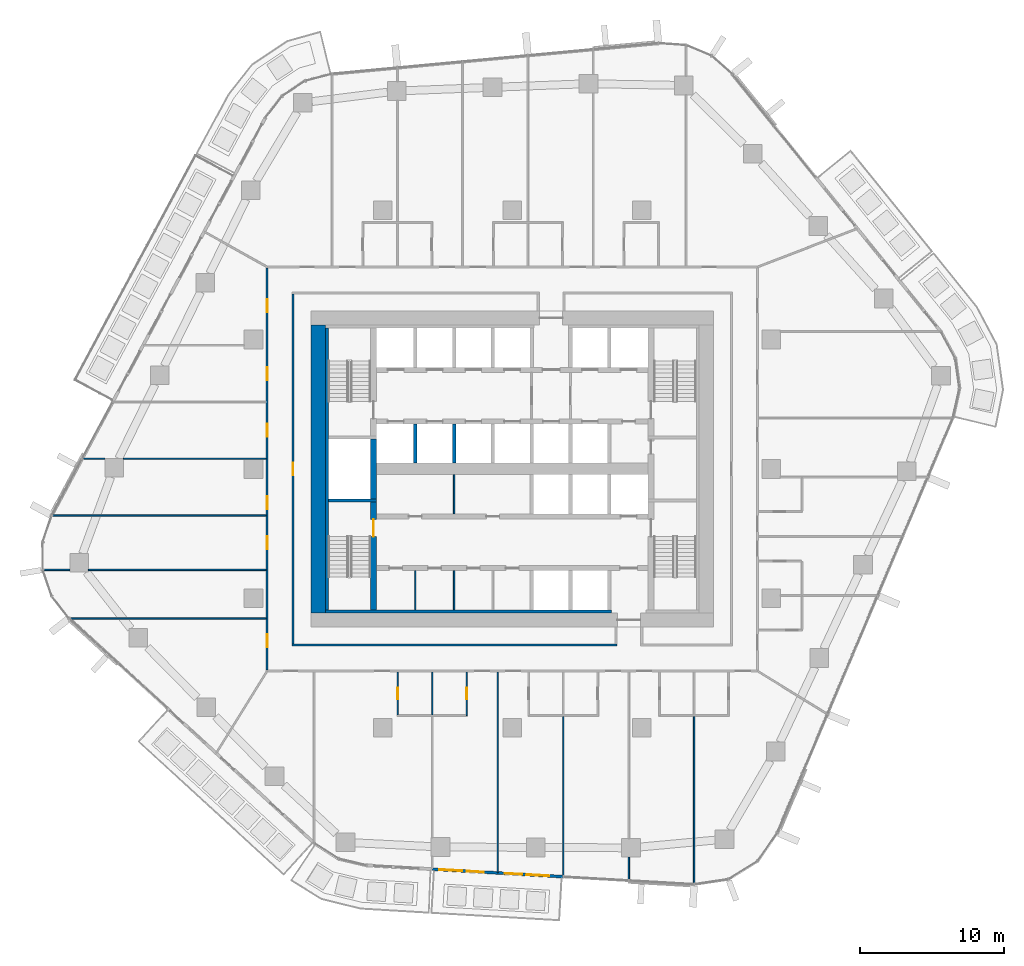
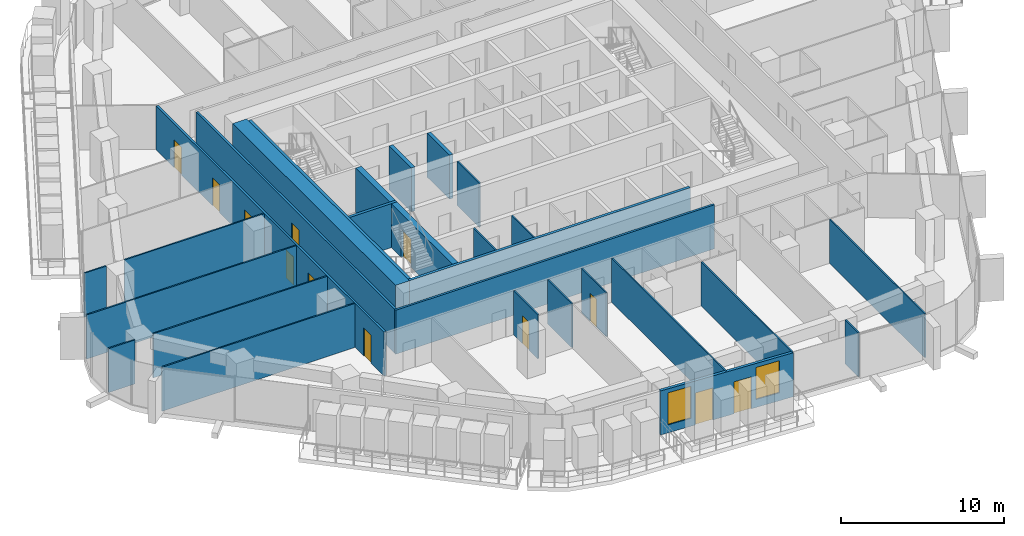
# One storey, part 12 of 24: 28 walls, 12 doors, 2 windows, 14 openings.
"""IFC4 building model written with IfcOpenShell, lengths in metres."""

from ifc_helpers import new_model, si_unit, direction, frame, frame_2d, origin, place, context, subcontext, project, spatial, rectangle, extrude, material, layer, layer_set, type_object, element, fill, save


model = new_model("IFC4")

# Units and contexts
model_context = context("Model", 3, precision=1e-05, world=origin(), true_north=direction((0.0, 1.0)))
body_context = subcontext(model_context, "Body", "Model", "MODEL_VIEW")
ifc_project = project(units=[si_unit("LENGTHUNIT", "METRE"), si_unit("AREAUNIT", "SQUARE_METRE"), si_unit("VOLUMEUNIT", "CUBIC_METRE"), si_unit("PLANEANGLEUNIT", "RADIAN"), si_unit("MASSUNIT", "GRAM", prefix="KILO")], contexts=[model_context])

# Site, building, storey
site_placement = place(None, origin())
site = spatial("IfcSite", under=ifc_project, at=site_placement, CompositionType="ELEMENT")
building_placement = place(site_placement, origin())
building = spatial("IfcBuilding", under=site, at=building_placement, Name="Dongbaek Canopy Tower", CompositionType="ELEMENT")
storey_placement = place(building_placement, frame((0.0, 0.0, 124.800048828125)))
storey = spatial("IfcBuildingStorey", under=building, at=storey_placement, Name="L27", CompositionType="ELEMENT", Elevation=124.800048828125)

# Walls
ifc_material_1 = material(Name="Concrete C60/75", Category="concrete")
ifc_layer_1 = layer(ifc_material_1, 1.0)
ifc_layer_set_1 = layer_set([ifc_layer_1], Name="Core outer wall 1000 Concrete C60/75")
wall_type_1 = type_object("IfcWallType", Name="Core outer wall 1000 Concrete C60/75", PredefinedType="SHEAR", material=ifc_layer_set_1)
wall_1_placement = place(storey_placement, frame((-13.5, -10.0, 0.0), z_axis=(0.0, 0.0, 1.0), x_axis=(0.0, 1.0, 0.0)))
element("IfcWall", 1, at=wall_1_placement, inside=storey, type_object=wall_type_1, Name="Core wall", PredefinedType="SHEAR", context=body_context, shape_type="SweptSolid", body=[
    extrude(rectangle(XDim=20.0, YDim=1.0, at=frame_2d((10.0, 0.0))), origin(), (0.0, 0.0, 1.0), 3.300048828125),
])
ifc_material_2 = material(Name="Concrete C60/75", Category="concrete")
ifc_layer_2 = layer(ifc_material_2, 0.199951171875)
ifc_layer_set_2 = layer_set([ifc_layer_2], Name="Core wall lining 200 Concrete C60/75")
wall_type_2 = type_object("IfcWallType", Name="Core wall lining 200 Concrete C60/75", PredefinedType="SHEAR", material=ifc_layer_set_2)
wall_2_placement = place(storey_placement, frame((6.89990234375, -9.89990234375, 0.0), z_axis=(0.0, 0.0, 1.0), x_axis=(-1.0, 0.0, 0.0)))
element("IfcWall", 2, at=wall_2_placement, inside=storey, type_object=wall_type_2, Name="Core wall lining", PredefinedType="SHEAR", context=body_context, shape_type="SweptSolid", body=[
    extrude(rectangle(XDim=19.89990234375, YDim=0.199951171875, at=frame_2d((9.949951171875, 0.0))), origin(), (0.0, 0.0, 1.0), 3.300048828125),
])
wall_3_placement = place(storey_placement, frame((-12.89990234375, -9.800048828125, 0.0), z_axis=(0.0, 0.0, 1.0), x_axis=(0.0, 1.0, 0.0)))
element("IfcWall", 3, at=wall_3_placement, inside=storey, type_object=wall_type_2, Name="Core wall lining", PredefinedType="SHEAR", context=body_context, shape_type="SweptSolid", body=[
    extrude(rectangle(XDim=19.60009765625, YDim=0.199951171875, at=frame_2d((9.800048828125, 0.0))), origin(), (0.0, 0.0, 1.0), 3.300048828125),
])
ifc_material_3 = material(Name="Gypsum board partition, steel stud, 2 x 15 mm fire board", Category="steel")
ifc_layer_3 = layer(ifc_material_3, 0.14990234375)
ifc_layer_set_3 = layer_set([ifc_layer_3], Name="Fire-rated partition 150 gypsum board")
wall_type_3 = type_object("IfcWallType", Name="Fire-rated partition 150 gypsum board", PredefinedType="PARTITIONING", material=ifc_layer_set_3)
wall_4_placement = place(storey_placement, frame((-15.324951171875, -12.25, 0.0), z_axis=(0.0, 0.0, 1.0), x_axis=(1.0, 0.0, 0.0)))
element("IfcWall", 4, at=wall_4_placement, inside=storey, type_object=wall_type_3, Name="Corridor partition", PredefinedType="PARTITIONING", context=body_context, shape_type="SweptSolid", body=[
    extrude(rectangle(XDim=22.599853515625, YDim=0.14990234375, at=frame_2d((11.2998046875, 0.0))), origin(), (0.0, 0.0, 1.0), 3.300048828125),
])

# Wall, opening, door
wall_5_placement = place(storey_placement, frame((-15.25, 12.175048828125, 0.0), z_axis=(0.0, 0.0, 1.0), x_axis=(0.0, -1.0, 0.0)))
wall_5 = element("IfcWall", 5, at=wall_5_placement, inside=storey, type_object=wall_type_3, Name="Corridor partition", PredefinedType="PARTITIONING", context=body_context, shape_type="SweptSolid", body=[
    extrude(rectangle(XDim=24.35009765625, YDim=0.14990234375, at=frame_2d((12.175048828125, 0.0))), origin(), (0.0, 0.0, 1.0), 3.300048828125),
])
opening_1_placement = place(wall_5_placement, frame((11.72509765625, 0.0, 0.0)))
opening_1 = element("IfcOpeningElement", 6, at=opening_1_placement, cuts=wall_5, Name="Opening L27-D041", PredefinedType="OPENING", context=body_context, shape_type="SweptSolid", body=[
    extrude(rectangle(XDim=0.89990234375, YDim=2.10009765625, at=frame_2d((0.449951171875, 1.050048828125))), frame((0.0, 0.0849609375, 0.0), z_axis=(0.0, -1.0, 0.0), x_axis=(1.0, 0.0, 0.0)), (0.0, 0.0, 1.0), 0.169921875),
])
ifc_material_4 = material(Name="Timber veneered door leaf", Category="wood")
door_type_1 = type_object("IfcDoorType", Name="Room door 900 x 2100", OperationType="SINGLE_SWING_LEFT", PredefinedType="DOOR", material=ifc_material_4)
door_1_placement = place(opening_1_placement, origin())
door_1 = element("IfcDoor", 7, at=door_1_placement, inside=storey, type_object=door_type_1, Name="Door L27-D041", OperationType="SINGLE_SWING_LEFT", OverallHeight=2.10009765625, OverallWidth=0.89990234375, PredefinedType="DOOR", context=body_context, shape_type="SweptSolid", body=[
    extrude(rectangle(XDim=0.89990234375, YDim=2.10009765625, at=frame_2d((0.449951171875, 1.050048828125))), frame((0.0, 0.02490234375, 0.0), z_axis=(0.0, -1.0, 0.0), x_axis=(1.0, 0.0, 0.0)), (0.0, 0.0, 1.0), 0.050048828125),
])
fill(opening_1, door_1)

# Wall, openings, doors
wall_6_placement = place(storey_placement, frame((-17.050048828125, -13.97509765625, 0.0), z_axis=(0.0, 0.0, 1.0), x_axis=(0.0, 1.0, 0.0)))
wall_6 = element("IfcWall", 8, at=wall_6_placement, inside=storey, type_object=wall_type_3, Name="Corridor partition", PredefinedType="PARTITIONING", context=body_context, shape_type="SweptSolid", body=[
    extrude(rectangle(XDim=27.9501953125, YDim=0.14990234375, at=frame_2d((13.97509765625, 0.0))), origin(), (0.0, 0.0, 1.0), 3.300048828125),
])
opening_2_placement = place(wall_6_placement, frame((11.186279296875, 0.0, 0.0)))
opening_2 = element("IfcOpeningElement", 9, at=opening_2_placement, cuts=wall_6, Name="Opening L27-D001", PredefinedType="OPENING", context=body_context, shape_type="SweptSolid", body=[
    extrude(rectangle(XDim=0.89990234375, YDim=2.10009765625, at=frame_2d((0.449951171875, 1.050048828125))), frame((0.0, 0.0849609375, 0.0), z_axis=(0.0, -1.0, 0.0), x_axis=(1.0, 0.0, 0.0)), (0.0, 0.0, 1.0), 0.169921875),
])
opening_3_placement = place(wall_6_placement, frame((8.403564453125, 0.0, 0.0)))
opening_3 = element("IfcOpeningElement", 10, at=opening_3_placement, cuts=wall_6, Name="Opening L27-D002", PredefinedType="OPENING", context=body_context, shape_type="SweptSolid", body=[
    extrude(rectangle(XDim=0.89990234375, YDim=2.10009765625, at=frame_2d((0.449951171875, 1.050048828125))), frame((0.0, 0.0849609375, 0.0), z_axis=(0.0, -1.0, 0.0), x_axis=(1.0, 0.0, 0.0)), (0.0, 0.0, 1.0), 0.169921875),
])
opening_4_placement = place(wall_6_placement, frame((1.580078125, 0.0, 0.0)))
opening_4 = element("IfcOpeningElement", 11, at=opening_4_placement, cuts=wall_6, Name="Opening L27-D003", PredefinedType="OPENING", context=body_context, shape_type="SweptSolid", body=[
    extrude(rectangle(XDim=0.89990234375, YDim=2.10009765625, at=frame_2d((0.449951171875, 1.050048828125))), frame((0.0, 0.0849609375, 0.0), z_axis=(0.0, -1.0, 0.0), x_axis=(1.0, 0.0, 0.0)), (0.0, 0.0, 1.0), 0.169921875),
])
opening_5_placement = place(wall_6_placement, frame((24.870849609375, 0.0, 0.0)))
opening_5 = element("IfcOpeningElement", 12, at=opening_5_placement, cuts=wall_6, Name="Opening L27-D038", PredefinedType="OPENING", context=body_context, shape_type="SweptSolid", body=[
    extrude(rectangle(XDim=0.89990234375, YDim=2.10009765625, at=frame_2d((0.449951171875, 1.050048828125))), frame((0.0, 0.0849609375, 0.0), z_axis=(0.0, -1.0, 0.0), x_axis=(1.0, 0.0, 0.0)), (0.0, 0.0, 1.0), 0.169921875),
])
opening_6_placement = place(wall_6_placement, frame((20.15869140625, 0.0, 0.0)))
opening_6 = element("IfcOpeningElement", 13, at=opening_6_placement, cuts=wall_6, Name="Opening L27-D039", PredefinedType="OPENING", context=body_context, shape_type="SweptSolid", body=[
    extrude(rectangle(XDim=0.89990234375, YDim=2.10009765625, at=frame_2d((0.449951171875, 1.050048828125))), frame((0.0, 0.0849609375, 0.0), z_axis=(0.0, -1.0, 0.0), x_axis=(1.0, 0.0, 0.0)), (0.0, 0.0, 1.0), 0.169921875),
])
opening_7_placement = place(wall_6_placement, frame((16.210693359375, 0.0, 0.0)))
opening_7 = element("IfcOpeningElement", 14, at=opening_7_placement, cuts=wall_6, Name="Opening L27-D040", PredefinedType="OPENING", context=body_context, shape_type="SweptSolid", body=[
    extrude(rectangle(XDim=0.89990234375, YDim=2.10009765625, at=frame_2d((0.449951171875, 1.050048828125))), frame((0.0, 0.0849609375, 0.0), z_axis=(0.0, -1.0, 0.0), x_axis=(1.0, 0.0, 0.0)), (0.0, 0.0, 1.0), 0.169921875),
])
door_2_placement = place(opening_2_placement, origin())
door_2 = element("IfcDoor", 15, at=door_2_placement, inside=storey, type_object=door_type_1, Name="Door L27-D001", OperationType="SINGLE_SWING_RIGHT", OverallHeight=2.10009765625, OverallWidth=0.89990234375, PredefinedType="DOOR", context=body_context, shape_type="SweptSolid", body=[
    extrude(rectangle(XDim=0.89990234375, YDim=2.10009765625, at=frame_2d((0.449951171875, 1.050048828125))), frame((0.0, 0.02490234375, 0.0), z_axis=(0.0, -1.0, 0.0), x_axis=(1.0, 0.0, 0.0)), (0.0, 0.0, 1.0), 0.050048828125),
])
fill(opening_2, door_2)
door_3_placement = place(opening_3_placement, origin())
door_3 = element("IfcDoor", 16, at=door_3_placement, inside=storey, type_object=door_type_1, Name="Door L27-D002", OperationType="SINGLE_SWING_LEFT", OverallHeight=2.10009765625, OverallWidth=0.89990234375, PredefinedType="DOOR", context=body_context, shape_type="SweptSolid", body=[
    extrude(rectangle(XDim=0.89990234375, YDim=2.10009765625, at=frame_2d((0.449951171875, 1.050048828125))), frame((0.0, 0.02490234375, 0.0), z_axis=(0.0, -1.0, 0.0), x_axis=(1.0, 0.0, 0.0)), (0.0, 0.0, 1.0), 0.050048828125),
])
fill(opening_3, door_3)
door_4_placement = place(opening_4_placement, origin())
door_4 = element("IfcDoor", 17, at=door_4_placement, inside=storey, type_object=door_type_1, Name="Door L27-D003", OperationType="SINGLE_SWING_LEFT", OverallHeight=2.10009765625, OverallWidth=0.89990234375, PredefinedType="DOOR", context=body_context, shape_type="SweptSolid", body=[
    extrude(rectangle(XDim=0.89990234375, YDim=2.10009765625, at=frame_2d((0.449951171875, 1.050048828125))), frame((0.0, 0.02490234375, 0.0), z_axis=(0.0, -1.0, 0.0), x_axis=(1.0, 0.0, 0.0)), (0.0, 0.0, 1.0), 0.050048828125),
])
fill(opening_4, door_4)
door_5_placement = place(opening_5_placement, origin())
door_5 = element("IfcDoor", 18, at=door_5_placement, inside=storey, type_object=door_type_1, Name="Door L27-D038", OperationType="SINGLE_SWING_RIGHT", OverallHeight=2.10009765625, OverallWidth=0.89990234375, PredefinedType="DOOR", context=body_context, shape_type="SweptSolid", body=[
    extrude(rectangle(XDim=0.89990234375, YDim=2.10009765625, at=frame_2d((0.449951171875, 1.050048828125))), frame((0.0, 0.02490234375, 0.0), z_axis=(0.0, -1.0, 0.0), x_axis=(1.0, 0.0, 0.0)), (0.0, 0.0, 1.0), 0.050048828125),
])
fill(opening_5, door_5)
door_6_placement = place(opening_6_placement, origin())
door_6 = element("IfcDoor", 19, at=door_6_placement, inside=storey, type_object=door_type_1, Name="Door L27-D039", OperationType="SINGLE_SWING_LEFT", OverallHeight=2.10009765625, OverallWidth=0.89990234375, PredefinedType="DOOR", context=body_context, shape_type="SweptSolid", body=[
    extrude(rectangle(XDim=0.89990234375, YDim=2.10009765625, at=frame_2d((0.449951171875, 1.050048828125))), frame((0.0, 0.02490234375, 0.0), z_axis=(0.0, -1.0, 0.0), x_axis=(1.0, 0.0, 0.0)), (0.0, 0.0, 1.0), 0.050048828125),
])
fill(opening_6, door_6)
door_7_placement = place(opening_7_placement, origin())
door_7 = element("IfcDoor", 20, at=door_7_placement, inside=storey, type_object=door_type_1, Name="Door L27-D040", OperationType="SINGLE_SWING_RIGHT", OverallHeight=2.10009765625, OverallWidth=0.89990234375, PredefinedType="DOOR", context=body_context, shape_type="SweptSolid", body=[
    extrude(rectangle(XDim=0.89990234375, YDim=2.10009765625, at=frame_2d((0.449951171875, 1.050048828125))), frame((0.0, 0.02490234375, 0.0), z_axis=(0.0, -1.0, 0.0), x_axis=(1.0, 0.0, 0.0)), (0.0, 0.0, 1.0), 0.050048828125),
])
fill(opening_7, door_7)

# Walls
ifc_material_5 = material(Name="Concrete C40/50", Category="concrete")
ifc_layer_4 = layer(ifc_material_5, 0.25)
ifc_layer_set_4 = layer_set([ifc_layer_4], Name="Lift shaft wall 250 Concrete C40/50")
wall_type_4 = type_object("IfcWallType", Name="Lift shaft wall 250 Concrete C40/50", PredefinedType="SOLIDWALL", material=ifc_layer_set_4)
for number, where, z_axis, x_axis, name in (
    (21, (-4.050048828125, 0.39990234375, 0.0), (0.0, 0.0, 1.0), (0.0, 1.0, 0.0), "Lift shaft wall"),
    (22, (-6.75, 0.39990234375, 0.0), (0.0, 0.0, 1.0), (0.0, 1.0, 0.0), "Lift shaft wall"),
):
    element("IfcWall", number, at=place(storey_placement, frame(where, z_axis=z_axis, x_axis=x_axis)), inside=storey, type_object=wall_type_4, Name=name, PredefinedType="SOLIDWALL", context=body_context, shape_type="SweptSolid", body=[
        extrude(rectangle(XDim=2.72509765625, YDim=0.25, at=frame_2d((1.362548828125, 0.0))), origin(), (0.0, 0.0, 1.0), 3.300048828125),
    ])
ifc_material_6 = material(Name="Gypsum board partition, steel stud, 2 x 12.5 mm board", Category="steel")
ifc_layer_5 = layer(ifc_material_6, 0.10009765625)
ifc_layer_set_5 = layer_set([ifc_layer_5], Name="Partition 100 gypsum board")
wall_type_5 = type_object("IfcWallType", Name="Partition 100 gypsum board", PredefinedType="PARTITIONING", material=ifc_layer_set_5)
wall_7_placement = place(storey_placement, frame((-30.79296875, -10.383056640625, 0.0), z_axis=(0.0, 0.0, 1.0), x_axis=(1.0, 0.0, 0.0)))
element("IfcWall", 23, at=wall_7_placement, inside=storey, type_object=wall_type_5, Name="Partition", PredefinedType="PARTITIONING", context=body_context, shape_type="SweptSolid", body=[
    extrude(rectangle(XDim=13.66796875, YDim=0.10009765625, at=frame_2d((6.833984375, 0.0))), origin(), (0.0, 0.0, 1.0), 3.300048828125),
])
wall_8_placement = place(storey_placement, frame((-32.63525390625, -7.013916015625, 0.0), z_axis=(0.0, 0.0, 1.0), x_axis=(1.0, 0.0, 0.0)))
element("IfcWall", 24, at=wall_8_placement, inside=storey, type_object=wall_type_5, Name="Partition", PredefinedType="PARTITIONING", context=body_context, shape_type="SweptSolid", body=[
    extrude(rectangle(XDim=1.8603515625, YDim=0.10009765625, at=frame_2d((0.93017578125, 0.0))), origin(), (0.0, 0.0, 1.0), 3.300048828125),
])
wall_9_placement = place(storey_placement, frame((-29.47509765625, -7.013916015625, 0.0), z_axis=(0.0, 0.0, 1.0), x_axis=(1.0, 0.0, 0.0)))
element("IfcWall", 25, at=wall_9_placement, inside=storey, type_object=wall_type_5, Name="Partition", PredefinedType="PARTITIONING", context=body_context, shape_type="SweptSolid", body=[
    extrude(rectangle(XDim=12.35009765625, YDim=0.10009765625, at=frame_2d((6.175048828125, 0.0))), origin(), (0.0, 0.0, 1.0), 3.300048828125),
])
wall_10_placement = place(storey_placement, frame((-32.0107421875, -3.22900390625, 0.0), z_axis=(0.0, 0.0, 1.0), x_axis=(1.0, 0.0, 0.0)))
element("IfcWall", 26, at=wall_10_placement, inside=storey, type_object=wall_type_5, Name="Partition", PredefinedType="PARTITIONING", context=body_context, shape_type="SweptSolid", body=[
    extrude(rectangle(XDim=14.8857421875, YDim=0.10009765625, at=frame_2d((7.44287109375, 0.0))), origin(), (0.0, 0.0, 1.0), 3.300048828125),
])
wall_11_placement = place(storey_placement, frame((-29.892822265625, 0.7119140625, 0.0), z_axis=(0.0, 0.0, 1.0), x_axis=(1.0, 0.0, 0.0)))
element("IfcWall", 27, at=wall_11_placement, inside=storey, type_object=wall_type_5, Name="Partition", PredefinedType="PARTITIONING", context=body_context, shape_type="SweptSolid", body=[
    extrude(rectangle(XDim=1.5498046875, YDim=0.10009765625, at=frame_2d((0.77490234375, 0.0))), origin(), (0.0, 0.0, 1.0), 3.300048828125),
])
wall_12_placement = place(storey_placement, frame((-27.04296875, 0.7119140625, 0.0), z_axis=(0.0, 0.0, 1.0), x_axis=(1.0, 0.0, 0.0)))
element("IfcWall", 28, at=wall_12_placement, inside=storey, type_object=wall_type_5, Name="Partition", PredefinedType="PARTITIONING", context=body_context, shape_type="SweptSolid", body=[
    extrude(rectangle(XDim=9.91796875, YDim=0.10009765625, at=frame_2d((4.958984375, 0.0))), origin(), (0.0, 0.0, 1.0), 3.300048828125),
])
wall_13_placement = place(storey_placement, frame((12.64697265625, -28.864013671875, 0.0), z_axis=(0.0, 0.0, 1.0), x_axis=(0.0, 1.0, 0.0)))
element("IfcWall", 29, at=wall_13_placement, inside=storey, type_object=wall_type_5, Name="Partition", PredefinedType="PARTITIONING", context=body_context, shape_type="SweptSolid", body=[
    extrude(rectangle(XDim=11.6640625, YDim=0.10009765625, at=frame_2d((5.83203125, 0.0))), origin(), (0.0, 0.0, 1.0), 3.300048828125),
])
wall_14_placement = place(storey_placement, frame((8.10107421875, -28.601318359375, 0.0), z_axis=(0.0, 0.0, 1.0), x_axis=(0.0, 1.0, 0.0)))
element("IfcWall", 30, at=wall_14_placement, inside=storey, type_object=wall_type_5, Name="Partition", PredefinedType="PARTITIONING", context=body_context, shape_type="SweptSolid", body=[
    extrude(rectangle(XDim=1.602294921875, YDim=0.10009765625, at=frame_2d((0.80126953125, 0.0))), origin(), (0.0, 0.0, 1.0), 3.300048828125),
])
wall_15_placement = place(storey_placement, frame((3.544921875, -28.337646484375, 0.0), z_axis=(0.0, 0.0, 1.0), x_axis=(0.0, 1.0, 0.0)))
element("IfcWall", 31, at=wall_15_placement, inside=storey, type_object=wall_type_5, Name="Partition", PredefinedType="PARTITIONING", context=body_context, shape_type="SweptSolid", body=[
    extrude(rectangle(XDim=11.1376953125, YDim=0.10009765625, at=frame_2d((5.56884765625, 0.0))), origin(), (0.0, 0.0, 1.0), 3.300048828125),
])
wall_16_placement = place(storey_placement, frame((-1.010986328125, -28.07421875, 0.0), z_axis=(0.0, 0.0, 1.0), x_axis=(0.0, 1.0, 0.0)))
element("IfcWall", 32, at=wall_16_placement, inside=storey, type_object=wall_type_5, Name="Partition", PredefinedType="PARTITIONING", context=body_context, shape_type="SweptSolid", body=[
    extrude(rectangle(XDim=13.94921875, YDim=0.10009765625, at=frame_2d((6.974609375, 0.0))), origin(), (0.0, 0.0, 1.0), 3.300048828125),
])

# Wall, opening, door
wall_17_placement = place(storey_placement, frame((-3.1669921875, -17.14990234375, 0.0), z_axis=(0.0, 0.0, 1.0), x_axis=(0.0, 1.0, 0.0)))
wall_17 = element("IfcWall", 33, at=wall_17_placement, inside=storey, type_object=wall_type_5, Name="Partition", PredefinedType="PARTITIONING", context=body_context, shape_type="SweptSolid", body=[
    extrude(rectangle(XDim=3.02490234375, YDim=0.10009765625, at=frame_2d((1.512451171875, 0.0))), origin(), (0.0, 0.0, 1.0), 3.300048828125),
])
opening_8_placement = place(wall_17_placement, frame((1.14990234375, 0.0, 0.0)))
opening_8 = element("IfcOpeningElement", 34, at=opening_8_placement, cuts=wall_17, Name="Opening L27-D007", PredefinedType="OPENING", context=body_context, shape_type="SweptSolid", body=[
    extrude(rectangle(XDim=0.800048828125, YDim=2.10009765625, at=frame_2d((0.39990234375, 1.050048828125))), frame((0.0, 0.06005859375, 0.0), z_axis=(0.0, -1.0, 0.0), x_axis=(1.0, 0.0, 0.0)), (0.0, 0.0, 1.0), 0.1201171875),
])
ifc_material_7 = material(Name="Timber veneered door leaf", Category="wood")
door_type_2 = type_object("IfcDoorType", Name="En-suite door 800 x 2100", OperationType="SINGLE_SWING_LEFT", PredefinedType="DOOR", material=ifc_material_7)
door_8_placement = place(opening_8_placement, origin())
door_8 = element("IfcDoor", 35, at=door_8_placement, inside=storey, type_object=door_type_2, Name="Door L27-D007", OperationType="SINGLE_SWING_LEFT", OverallHeight=2.10009765625, OverallWidth=0.800048828125, PredefinedType="DOOR", context=body_context, shape_type="SweptSolid", body=[
    extrude(rectangle(XDim=0.800048828125, YDim=2.10009765625, at=frame_2d((0.39990234375, 1.050048828125))), frame((0.0, 0.02490234375, 0.0), z_axis=(0.0, -1.0, 0.0), x_axis=(1.0, 0.0, 0.0)), (0.0, 0.0, 1.0), 0.050048828125),
])
fill(opening_8, door_8)

# Wall
wall_18_placement = place(storey_placement, frame((-5.56689453125, -17.10009765625, 0.0), z_axis=(0.0, 0.0, 1.0), x_axis=(0.0, 1.0, 0.0)))
element("IfcWall", 36, at=wall_18_placement, inside=storey, type_object=wall_type_5, Name="Partition", PredefinedType="PARTITIONING", context=body_context, shape_type="SweptSolid", body=[
    extrude(rectangle(XDim=2.97509765625, YDim=0.10009765625, at=frame_2d((1.487548828125, 0.0))), origin(), (0.0, 0.0, 1.0), 3.300048828125),
])

# Wall, opening, door
wall_19_placement = place(storey_placement, frame((-7.967041015625, -14.125, 0.0), z_axis=(0.0, 0.0, 1.0), x_axis=(0.0, -1.0, 0.0)))
wall_19 = element("IfcWall", 37, at=wall_19_placement, inside=storey, type_object=wall_type_5, Name="Partition", PredefinedType="PARTITIONING", context=body_context, shape_type="SweptSolid", body=[
    extrude(rectangle(XDim=2.97509765625, YDim=0.10009765625, at=frame_2d((1.487548828125, 0.0))), origin(), (0.0, 0.0, 1.0), 3.300048828125),
])
opening_9_placement = place(wall_19_placement, frame((1.074951171875, 0.0, 0.0)))
opening_9 = element("IfcOpeningElement", 38, at=opening_9_placement, cuts=wall_19, Name="Opening L27-D005", PredefinedType="OPENING", context=body_context, shape_type="SweptSolid", body=[
    extrude(rectangle(XDim=0.800048828125, YDim=2.10009765625, at=frame_2d((0.39990234375, 1.050048828125))), frame((0.0, 0.06005859375, 0.0), z_axis=(0.0, -1.0, 0.0), x_axis=(1.0, 0.0, 0.0)), (0.0, 0.0, 1.0), 0.1201171875),
])
door_9_placement = place(opening_9_placement, origin())
door_9 = element("IfcDoor", 39, at=door_9_placement, inside=storey, type_object=door_type_2, Name="Door L27-D005", OperationType="SINGLE_SWING_RIGHT", OverallHeight=2.10009765625, OverallWidth=0.800048828125, PredefinedType="DOOR", context=body_context, shape_type="SweptSolid", body=[
    extrude(rectangle(XDim=0.800048828125, YDim=2.10009765625, at=frame_2d((0.39990234375, 1.050048828125))), frame((0.0, 0.02490234375, 0.0), z_axis=(0.0, -1.0, 0.0), x_axis=(1.0, 0.0, 0.0)), (0.0, 0.0, 1.0), 0.050048828125),
])
fill(opening_9, door_9)

# Walls
for number, where, z_axis, x_axis, name in (
    (40, (-4.050048828125, -9.800048828125, 0.0), (0.0, 0.0, 1.0), (0.0, 1.0, 0.0), "Core partition"),
    (41, (-4.050048828125, -3.125, 0.0), (0.0, 0.0, 1.0), (0.0, 1.0, 0.0), "Core partition"),
    (42, (-6.75, -9.800048828125, 0.0), (0.0, 0.0, 1.0), (0.0, 1.0, 0.0), "Core partition"),
):
    element("IfcWall", number, at=place(storey_placement, frame(where, z_axis=z_axis, x_axis=x_axis)), inside=storey, type_object=wall_type_5, Name=name, PredefinedType="PARTITIONING", context=body_context, shape_type="SweptSolid", body=[
        extrude(rectangle(XDim=2.72509765625, YDim=0.10009765625, at=frame_2d((1.362548828125, 0.0))), origin(), (0.0, 0.0, 1.0), 3.300048828125),
    ])
ifc_material_8 = material(Name="Concrete C60/75", Category="concrete")
ifc_layer_6 = layer(ifc_material_8, 0.199951171875)
ifc_layer_set_6 = layer_set([ifc_layer_6], Name="Riser wall 200 Concrete C60/75")
wall_type_6 = type_object("IfcWallType", Name="Riser wall 200 Concrete C60/75", PredefinedType="SHEAR", material=ifc_layer_set_6)
wall_20_placement = place(storey_placement, frame((-9.449951171875, -2.199951171875, 0.0), z_axis=(0.0, 0.0, 1.0), x_axis=(-1.0, 0.0, 0.0)))
element("IfcWall", 43, at=wall_20_placement, inside=storey, type_object=wall_type_6, Name="Riser wall", PredefinedType="SHEAR", context=body_context, shape_type="SweptSolid", body=[
    extrude(rectangle(XDim=3.35009765625, YDim=0.199951171875, at=frame_2d((1.675048828125, 0.0))), origin(), (0.0, 0.0, 1.0), 3.300048828125),
])

# Wall, opening, door
ifc_material_9 = material(Name="Concrete C60/75", Category="concrete")
ifc_layer_7 = layer(ifc_material_9, 0.39990234375)
ifc_layer_set_7 = layer_set([ifc_layer_7], Name="Stair wall 400 Concrete C60/75")
wall_type_7 = type_object("IfcWallType", Name="Stair wall 400 Concrete C60/75", PredefinedType="SHEAR", material=ifc_layer_set_7)
wall_21_placement = place(storey_placement, frame((-9.64990234375, -9.800048828125, 0.0), z_axis=(0.0, 0.0, 1.0), x_axis=(0.0, 1.0, 0.0)))
wall_21 = element("IfcWall", 44, at=wall_21_placement, inside=storey, type_object=wall_type_7, Name="Stair wall", PredefinedType="SHEAR", context=body_context, shape_type="SweptSolid", body=[
    extrude(rectangle(XDim=7.5, YDim=0.39990234375, at=frame_2d((3.75, 0.0))), origin(), (0.0, 0.0, 1.0), 3.300048828125),
])
opening_10_placement = place(wall_21_placement, frame((5.10009765625, 0.0, 0.0)))
opening_10 = element("IfcOpeningElement", 45, at=opening_10_placement, cuts=wall_21, Name="Opening L27-D071", PredefinedType="OPENING", context=body_context, shape_type="SweptSolid", body=[
    extrude(rectangle(XDim=1.199951171875, YDim=2.10009765625, at=frame_2d((0.60009765625, 1.050048828125))), frame((0.0, 0.2099609375, 0.0), z_axis=(0.0, -1.0, 0.0), x_axis=(1.0, 0.0, 0.0)), (0.0, 0.0, 1.0), 0.419921875),
])
ifc_material_10 = material(Name="Steel", Category="steel")
door_type_3 = type_object("IfcDoorType", Name="Stair door 1200 x 2100", OperationType="SINGLE_SWING_LEFT", PredefinedType="DOOR", material=ifc_material_10)
door_10_placement = place(opening_10_placement, origin())
door_10 = element("IfcDoor", 46, at=door_10_placement, inside=storey, type_object=door_type_3, Name="Stair D door", OperationType="SINGLE_SWING_LEFT", OverallHeight=2.10009765625, OverallWidth=1.199951171875, PredefinedType="DOOR", context=body_context, shape_type="SweptSolid", body=[
    extrude(rectangle(XDim=1.199951171875, YDim=2.10009765625, at=frame_2d((0.60009765625, 1.050048828125))), frame((0.0, 0.02490234375, 0.0), z_axis=(0.0, -1.0, 0.0), x_axis=(1.0, 0.0, 0.0)), (0.0, 0.0, 1.0), 0.050048828125),
])
fill(opening_10, door_10)

# Wall
wall_22_placement = place(storey_placement, frame((-9.64990234375, -2.10009765625, 0.0), z_axis=(0.0, 0.0, 1.0), x_axis=(0.0, 1.0, 0.0)))
element("IfcWall", 47, at=wall_22_placement, inside=storey, type_object=wall_type_7, Name="Stair wall", PredefinedType="SHEAR", context=body_context, shape_type="SweptSolid", body=[
    extrude(rectangle(XDim=4.2001953125, YDim=0.39990234375, at=frame_2d((2.10009765625, 0.0))), origin(), (0.0, 0.0, 1.0), 3.300048828125),
])

# Wall, openings, doors, windows
ifc_material_11 = material(Name="Aluminium window wall", Category="aluminium")
ifc_layer_8 = layer(ifc_material_11, 0.199951171875)
ifc_layer_set_8 = layer_set([ifc_layer_8], Name="Window wall 200")
wall_type_8 = type_object("IfcWallType", Name="Window wall 200", PredefinedType="SOLIDWALL", material=ifc_layer_set_8)
wall_23_placement = place(storey_placement, frame((-5.567138671875, -27.83056640625, 0.0), z_axis=(0.0, 0.0, 1.0), x_axis=(0.998331175274, -0.057748285484, 0.0)))
wall_23 = element("IfcWall", 48, at=wall_23_placement, inside=storey, type_object=wall_type_8, Name="Window wall L27 4", PredefinedType="SOLIDWALL", context=body_context, shape_type="SweptSolid", body=[
    extrude(rectangle(XDim=9.12744140625, YDim=0.199951171875, at=frame_2d((4.563720703125, 0.0))), origin(), (0.0, 0.0, 1.0), 3.300048828125),
])
opening_11_placement = place(wall_23_placement, frame((0.5, 0.0, 0.60009765625)))
opening_11 = element("IfcOpeningElement", 49, at=opening_11_placement, cuts=wall_23, Name="Opening W1", PredefinedType="OPENING", context=body_context, shape_type="SweptSolid", body=[
    extrude(rectangle(XDim=1.60009765625, YDim=2.39990234375, at=frame_2d((0.800048828125, 1.199951171875))), frame((0.0, 0.10986328125, 0.0), z_axis=(0.0, -1.0, 0.0), x_axis=(1.0, 0.0, 0.0)), (0.0, 0.0, 1.0), 0.219970703125),
])
opening_12_placement = place(wall_23_placement, frame((2.39990234375, 0.0, 0.0)))
opening_12 = element("IfcOpeningElement", 50, at=opening_12_placement, cuts=wall_23, Name="Opening L27-B12", PredefinedType="OPENING", context=body_context, shape_type="SweptSolid", body=[
    extrude(rectangle(XDim=1.199951171875, YDim=2.39990234375, at=frame_2d((0.60009765625, 1.199951171875))), frame((0.0, 0.10986328125, 0.0), z_axis=(0.0, -1.0, 0.0), x_axis=(1.0, 0.0, 0.0)), (0.0, 0.0, 1.0), 0.219970703125),
])
opening_13_placement = place(wall_23_placement, frame((6.563720703125, 0.0, 0.60009765625)))
opening_13 = element("IfcOpeningElement", 51, at=opening_13_placement, cuts=wall_23, Name="Opening W1", PredefinedType="OPENING", context=body_context, shape_type="SweptSolid", body=[
    extrude(rectangle(XDim=1.60009765625, YDim=2.39990234375, at=frame_2d((0.800048828125, 1.199951171875))), frame((0.0, 0.10986328125, 0.0), z_axis=(0.0, -1.0, 0.0), x_axis=(1.0, 0.0, 0.0)), (0.0, 0.0, 1.0), 0.219970703125),
])
opening_14_placement = place(wall_23_placement, frame((5.063720703125, 0.0, 0.0)))
opening_14 = element("IfcOpeningElement", 52, at=opening_14_placement, cuts=wall_23, Name="Opening L27-B13", PredefinedType="OPENING", context=body_context, shape_type="SweptSolid", body=[
    extrude(rectangle(XDim=1.199951171875, YDim=2.39990234375, at=frame_2d((0.60009765625, 1.199951171875))), frame((0.0, 0.10986328125, 0.0), z_axis=(0.0, -1.0, 0.0), x_axis=(1.0, 0.0, 0.0)), (0.0, 0.0, 1.0), 0.219970703125),
])
ifc_material_12 = material(Name="Clear glazing in aluminium frame", Category="aluminium")
door_type_4 = type_object("IfcDoorType", Name="Balcony door BD1 1200 x 2400", OperationType="SLIDING_TO_LEFT", PredefinedType="DOOR", material=ifc_material_12)
door_11_placement = place(opening_12_placement, origin())
door_11 = element("IfcDoor", 53, at=door_11_placement, inside=storey, type_object=door_type_4, Name="Balcony door L27-B12", OperationType="SLIDING_TO_LEFT", OverallHeight=2.39990234375, OverallWidth=1.199951171875, PredefinedType="DOOR", context=body_context, shape_type="SweptSolid", body=[
    extrude(rectangle(XDim=1.199951171875, YDim=2.39990234375, at=frame_2d((0.60009765625, 1.199951171875))), frame((0.0, 0.02490234375, 0.0), z_axis=(0.0, -1.0, 0.0), x_axis=(1.0, 0.0, 0.0)), (0.0, 0.0, 1.0), 0.050048828125),
])
fill(opening_12, door_11)
door_12_placement = place(opening_14_placement, origin())
door_12 = element("IfcDoor", 54, at=door_12_placement, inside=storey, type_object=door_type_4, Name="Balcony door L27-B13", OperationType="SLIDING_TO_LEFT", OverallHeight=2.39990234375, OverallWidth=1.199951171875, PredefinedType="DOOR", context=body_context, shape_type="SweptSolid", body=[
    extrude(rectangle(XDim=1.199951171875, YDim=2.39990234375, at=frame_2d((0.60009765625, 1.199951171875))), frame((0.0, 0.02490234375, 0.0), z_axis=(0.0, -1.0, 0.0), x_axis=(1.0, 0.0, 0.0)), (0.0, 0.0, 1.0), 0.050048828125),
])
fill(opening_14, door_12)
ifc_material_13 = material(Name="Clear glazing in aluminium frame", Category="aluminium")
window_type = type_object("IfcWindowType", Name="Window W1 1600 x 2400", PartitioningType="SINGLE_PANEL", PredefinedType="WINDOW", material=ifc_material_13)
window_1_placement = place(opening_11_placement, origin())
window_1 = element("IfcWindow", 55, at=window_1_placement, inside=storey, type_object=window_type, Name="Window L27 4.1", OverallHeight=2.39990234375, OverallWidth=1.60009765625, PartitioningType="SINGLE_PANEL", PredefinedType="WINDOW", context=body_context, shape_type="SweptSolid", body=[
    extrude(rectangle(XDim=1.60009765625, YDim=2.39990234375, at=frame_2d((0.800048828125, 1.199951171875))), frame((0.0, 0.030029296875, 0.0), z_axis=(0.0, -1.0, 0.0), x_axis=(1.0, 0.0, 0.0)), (0.0, 0.0, 1.0), 0.06005859375),
])
fill(opening_11, window_1)
window_2_placement = place(opening_13_placement, origin())
window_2 = element("IfcWindow", 56, at=window_2_placement, inside=storey, type_object=window_type, Name="Window L27 4.2", OverallHeight=2.39990234375, OverallWidth=1.60009765625, PartitioningType="SINGLE_PANEL", PredefinedType="WINDOW", context=body_context, shape_type="SweptSolid", body=[
    extrude(rectangle(XDim=1.60009765625, YDim=2.39990234375, at=frame_2d((0.800048828125, 1.199951171875))), frame((0.0, 0.030029296875, 0.0), z_axis=(0.0, -1.0, 0.0), x_axis=(1.0, 0.0, 0.0)), (0.0, 0.0, 1.0), 0.06005859375),
])
fill(opening_13, window_2)

save(model, "model.ifc")
